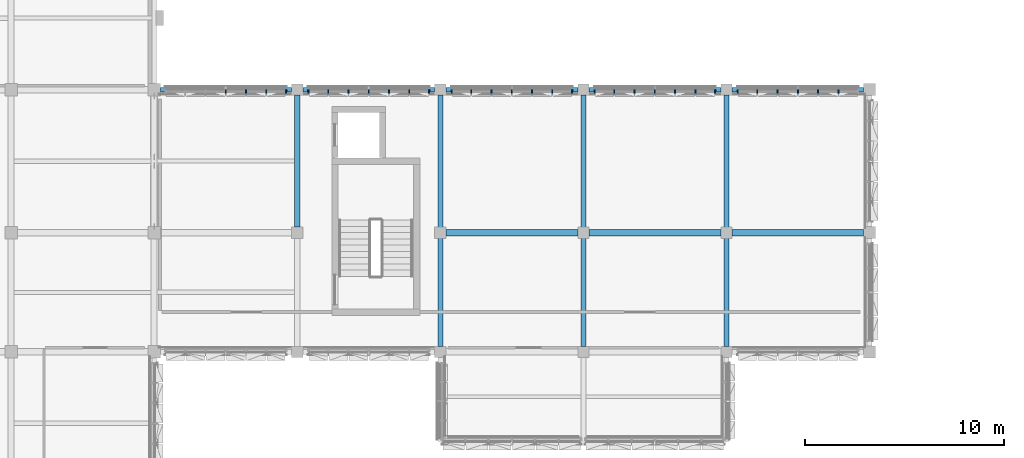
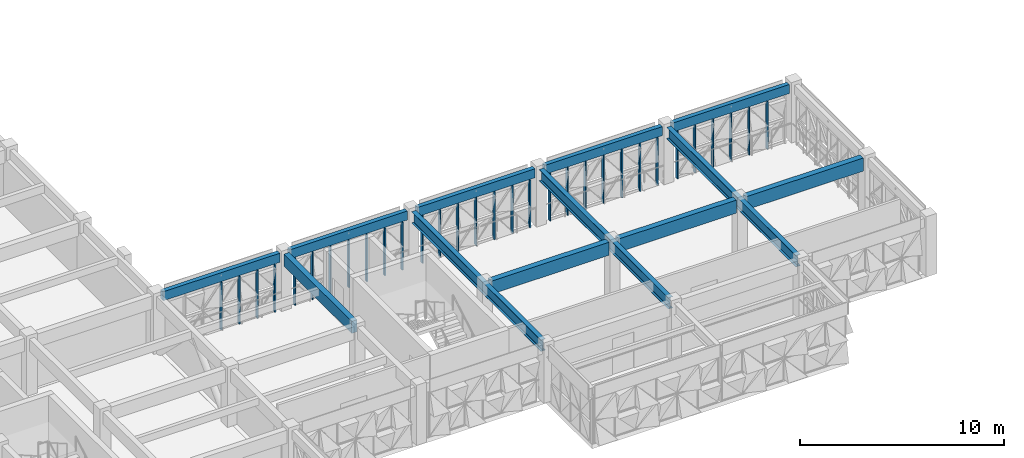
# One storey, part 10 of 85: 31 members, 12 beams, 5 elements without a shape of their own.
"""IFC4 building model written with IfcOpenShell, lengths in metres."""

from ifc_helpers import new_model, si_unit, direction, frame, origin, origin_2d, place, context, subcontext, project, spatial, rectangle, i_section, extrude, material, material_profile, profile_set, type_object, element, aggregate, save


model = new_model("IFC4")

# Units and contexts
model_context = context("Model", 3, precision=1e-05, world=origin(), true_north=direction((0.0, 1.0)))
body_context = subcontext(model_context, "Body", "Model", "MODEL_VIEW")
ifc_project = project(units=[si_unit("LENGTHUNIT", "METRE"), si_unit("AREAUNIT", "SQUARE_METRE"), si_unit("VOLUMEUNIT", "CUBIC_METRE"), si_unit("PLANEANGLEUNIT", "RADIAN"), si_unit("MASSUNIT", "GRAM", prefix="KILO")], contexts=[model_context])

# Site, building, storey
site_placement = place(None, origin())
site = spatial("IfcSite", under=ifc_project, at=site_placement, CompositionType="ELEMENT")
building_placement = place(site_placement, origin())
building = spatial("IfcBuilding", under=site, at=building_placement, Name="Alvorim Cloister Faculty of Sciences", CompositionType="ELEMENT")
storey_placement = place(building_placement, frame((0.0, 0.0, 8.550048828125)))
storey = spatial("IfcBuildingStorey", under=building, at=storey_placement, Name="L02", CompositionType="ELEMENT", Elevation=8.550048828125)

# Beams
ifc_material_1 = material(Name="Glulam GL32h", Category="wood")
ifc_material_profile_1 = material_profile(ifc_material_1, rectangle(XDim=0.300048828125, YDim=0.719970703125, at=origin_2d()), Name="GL32-BM-300x720")
ifc_profile_set_1 = profile_set([ifc_material_profile_1], Name="Glulam GL32h")
beam_type_1 = type_object("IfcBeamType", Name="BM-GL-300x720", PredefinedType="BEAM", material=ifc_profile_set_1)
beam_1_placement = place(storey_placement, frame((36.0, 49.47998046875, 3.030029296875), z_axis=(0.0, 1.0, 0.0), x_axis=(-1.0, 0.0, 0.0)))
element("IfcBeam", 1, at=beam_1_placement, inside=storey, type_object=beam_type_1, Name="L02 Primary Girder BM-1412", PredefinedType="BEAM", context=body_context, shape_type="SweptSolid", body=[
    extrude(rectangle(XDim=0.300048828125, YDim=0.719970703125, at=origin_2d()), origin(), (0.0, 0.0, 1.0), 6.64013671875),
])
ifc_material_profile_2 = material_profile(ifc_material_1, rectangle(XDim=0.320068359375, YDim=0.780029296875, at=origin_2d()), Name="GL32-BM-320x780")
ifc_profile_set_2 = profile_set([ifc_material_profile_2], Name="Glulam GL32h")
beam_type_2 = type_object("IfcBeamType", Name="BM-GL-320x780", PredefinedType="BEAM", material=ifc_profile_set_2)
for number, where, z_axis, x_axis, name in (
    (2, (43.47998046875, 49.199951171875, 3.0), (1.0, 0.0, 0.0), (0.0, 1.0, 0.0), "L02 Primary Beam BM-1300"),
    (3, (50.679931640625, 49.199951171875, 3.0), (1.0, 0.0, 0.0), (0.0, 1.0, 0.0), "L02 Primary Beam BM-1301"),
):
    element("IfcBeam", number, at=place(storey_placement, frame(where, z_axis=z_axis, x_axis=x_axis)), inside=storey, type_object=beam_type_2, Name=name, PredefinedType="BEAM", context=body_context, shape_type="SweptSolid", body=[
        extrude(rectangle(XDim=0.320068359375, YDim=0.780029296875, at=origin_2d()), origin(), (0.0, 0.0, 1.0), 6.64013671875),
    ])
beam_2_placement = place(storey_placement, frame((57.8798828125, 49.199951171875, 3.0), z_axis=(1.0, 0.0, 0.0), x_axis=(0.0, 1.0, 0.0)))
element("IfcBeam", 4, at=beam_2_placement, inside=storey, type_object=beam_type_2, Name="L02 Primary Beam BM-1302", PredefinedType="BEAM", context=body_context, shape_type="SweptSolid", body=[
    extrude(rectangle(XDim=0.320068359375, YDim=0.780029296875, at=origin_2d()), origin(), (0.0, 0.0, 1.0), 6.6201171875),
])
ifc_material_2 = material(Name="Glulam GL28h", Category="wood")
ifc_material_profile_3 = material_profile(ifc_material_2, rectangle(XDim=0.239990234375, YDim=0.5400390625, at=origin_2d()), Name="GL28-SPD-240x540")
ifc_profile_set_3 = profile_set([ifc_material_profile_3], Name="Glulam GL28h")
beam_type_3 = type_object("IfcBeamType", Name="BM-SPD-GL-240x540", PredefinedType="SPANDREL", material=ifc_profile_set_3)
beam_3_placement = place(storey_placement, frame((29.1201171875, 56.39990234375, 3.119873046875), z_axis=(1.0, 0.0, 0.0), x_axis=(0.0, 1.0, 0.0)))
element("IfcBeam", 5, at=beam_3_placement, inside=storey, type_object=beam_type_3, Name="L02 Primary Beam BM-1307", PredefinedType="SPANDREL", context=body_context, shape_type="SweptSolid", body=[
    extrude(rectangle(XDim=0.239990234375, YDim=0.5400390625, at=origin_2d()), origin(), (0.0, 0.0, 1.0), 6.599853515625),
])
beam_4_placement = place(storey_placement, frame((36.280029296875, 56.39990234375, 3.119873046875), z_axis=(1.0, 0.0, 0.0), x_axis=(0.0, 1.0, 0.0)))
element("IfcBeam", 6, at=beam_4_placement, inside=storey, type_object=beam_type_3, Name="L02 Primary Beam BM-1308", PredefinedType="SPANDREL", context=body_context, shape_type="SweptSolid", body=[
    extrude(rectangle(XDim=0.239990234375, YDim=0.5400390625, at=origin_2d()), origin(), (0.0, 0.0, 1.0), 6.639892578125),
])
for number, where, z_axis, x_axis, name in (
    (7, (43.47998046875, 56.39990234375, 3.119873046875), (1.0, 0.0, 0.0), (0.0, 1.0, 0.0), "L02 Primary Beam BM-1309"),
    (8, (50.679931640625, 56.39990234375, 3.119873046875), (1.0, 0.0, 0.0), (0.0, 1.0, 0.0), "L02 Primary Beam BM-1310"),
):
    element("IfcBeam", number, at=place(storey_placement, frame(where, z_axis=z_axis, x_axis=x_axis)), inside=storey, type_object=beam_type_3, Name=name, PredefinedType="SPANDREL", context=body_context, shape_type="SweptSolid", body=[
        extrude(rectangle(XDim=0.239990234375, YDim=0.5400390625, at=origin_2d()), origin(), (0.0, 0.0, 1.0), 6.64013671875),
    ])
beam_5_placement = place(storey_placement, frame((57.8798828125, 56.39990234375, 3.119873046875), z_axis=(1.0, 0.0, 0.0), x_axis=(0.0, 1.0, 0.0)))
element("IfcBeam", 9, at=beam_5_placement, inside=storey, type_object=beam_type_3, Name="L02 Primary Beam BM-1311", PredefinedType="SPANDREL", context=body_context, shape_type="SweptSolid", body=[
    extrude(rectangle(XDim=0.239990234375, YDim=0.5400390625, at=origin_2d()), origin(), (0.0, 0.0, 1.0), 6.6201171875),
])
ifc_material_3 = material(Name="Steel ASTM A572 Grade 50", Category="steel")
ifc_material_profile_4 = material_profile(ifc_material_3, i_section(OverallWidth=0.25390625, OverallDepth=0.68408203125, WebThickness=0.012451171875, FlangeThickness=0.01904296875, FilletRadius=0.01904296875, at=origin_2d()), Name="W690x140.0")
ifc_profile_set_4 = profile_set([ifc_material_profile_4], Name="Steel ASTM A572 Grade 50")
beam_type_4 = type_object("IfcBeamType", Name="BM-STL-W690", PredefinedType="BEAM", material=ifc_profile_set_4)
for number, where, z_axis, x_axis, name in (
    (10, (43.199951171875, 43.47998046875, 3.0478515625), (0.0, 1.0, 0.0), (-1.0, 0.0, 0.0), "L02 Cantilever Backspan Girder BM-0041"),
    (11, (50.39990234375, 43.47998046875, 3.0478515625), (0.0, 1.0, 0.0), (-1.0, 0.0, 0.0), "L02 Cantilever Backspan Girder BM-0043"),
    (12, (57.60009765625, 43.47998046875, 3.0478515625), (0.0, 1.0, 0.0), (-1.0, 0.0, 0.0), "L02 Cantilever Backspan Girder BM-0045"),
):
    element("IfcBeam", number, at=place(storey_placement, frame(where, z_axis=z_axis, x_axis=x_axis)), inside=storey, type_object=beam_type_4, Name=name, PredefinedType="BEAM", context=body_context, shape_type="SweptSolid", body=[
        extrude(i_section(OverallWidth=0.25390625, OverallDepth=0.68408203125, WebThickness=0.012451171875, FlangeThickness=0.01904296875, FilletRadius=0.01904296875, at=origin_2d()), origin(), (0.0, 0.0, 1.0), 12.64013671875),
    ])

# Curtain wall, members
ifc_material_4 = material(Name="Aluminium and Low-E Glass Curtain Wall", Category="aluminium")
curtain_wall_type = type_object("IfcCurtainWallType", Name="CW-TRI-6120x2850", PredefinedType="USERDEFINED", material=ifc_material_4)
curtain_wall_1_placement = place(storey_placement, origin())
curtain_wall_1 = element("IfcCurtainWall", 13, at=curtain_wall_1_placement, inside=storey, type_object=curtain_wall_type, Name="L02 Diagonal Cassette Curtain Wall CW-0056", ObjectType="UNITISED CURTAIN WALL", PredefinedType="USERDEFINED")
ifc_material_5 = material(Name="Aluminium Alloy 6063-T6", Category="aluminium")
ifc_material_profile_5 = material_profile(ifc_material_5, rectangle(XDim=0.06494140625, YDim=0.179931640625, at=origin_2d()), Name="ALU-MUL-65x180")
ifc_profile_set_5 = profile_set([ifc_material_profile_5], Name="Aluminium Alloy 6063-T6")
member_type = type_object("IfcMemberType", Name="CW-MUL-65x180", PredefinedType="MULLION", material=ifc_profile_set_5)
member_1_placement = place(storey_placement, frame((32.39990234375, 56.31005859375, 0.0), z_axis=(0.0, 0.0, 1.0), x_axis=(1.0, 0.0, 0.0)))
member_1 = element("IfcMember", 14, at=member_1_placement, type_object=member_type, Name="CW-0056 Mullion 4", PredefinedType="MULLION", context=body_context, shape_type="SweptSolid", body=[
    extrude(rectangle(XDim=0.06494140625, YDim=0.179931640625, at=origin_2d()), origin(), (0.0, 0.0, 1.0), 2.849853515625),
])
member_2_placement = place(storey_placement, frame((33.419921875, 56.31005859375, 0.0), z_axis=(0.0, 0.0, 1.0), x_axis=(1.0, 0.0, 0.0)))
member_2 = element("IfcMember", 15, at=member_2_placement, type_object=member_type, Name="CW-0056 Mullion 5", PredefinedType="MULLION", context=body_context, shape_type="SweptSolid", body=[
    extrude(rectangle(XDim=0.06494140625, YDim=0.179931640625, at=origin_2d()), origin(), (0.0, 0.0, 1.0), 2.849853515625),
])
member_3_placement = place(storey_placement, frame((34.43994140625, 56.31005859375, 0.0), z_axis=(0.0, 0.0, 1.0), x_axis=(1.0, 0.0, 0.0)))
member_3 = element("IfcMember", 16, at=member_3_placement, type_object=member_type, Name="CW-0056 Mullion 6", PredefinedType="MULLION", context=body_context, shape_type="SweptSolid", body=[
    extrude(rectangle(XDim=0.06494140625, YDim=0.179931640625, at=origin_2d()), origin(), (0.0, 0.0, 1.0), 2.849853515625),
])
member_4_placement = place(storey_placement, frame((35.427490234375, 56.31005859375, 0.0), z_axis=(0.0, 0.0, 1.0), x_axis=(1.0, 0.0, 0.0)))
member_4 = element("IfcMember", 17, at=member_4_placement, type_object=member_type, Name="CW-0056 Mullion 7", PredefinedType="MULLION", context=body_context, shape_type="SweptSolid", body=[
    extrude(rectangle(XDim=0.06494140625, YDim=0.179931640625, at=origin_2d()), origin(), (0.0, 0.0, 1.0), 2.849853515625),
])
aggregate(curtain_wall_1, [member_1, member_2, member_3, member_4])

curtain_wall_2_placement = place(storey_placement, origin())
curtain_wall_2 = element("IfcCurtainWall", 18, at=curtain_wall_2_placement, inside=storey, type_object=curtain_wall_type, Name="L02 Diagonal Cassette Curtain Wall CW-0057", ObjectType="UNITISED CURTAIN WALL", PredefinedType="USERDEFINED")
member_5_placement = place(storey_placement, frame((36.572509765625, 56.31005859375, 0.0), z_axis=(0.0, 0.0, 1.0), x_axis=(1.0, 0.0, 0.0)))
member_5 = element("IfcMember", 19, at=member_5_placement, type_object=member_type, Name="CW-0057 Mullion 1", PredefinedType="MULLION", context=body_context, shape_type="SweptSolid", body=[
    extrude(rectangle(XDim=0.06494140625, YDim=0.179931640625, at=origin_2d()), origin(), (0.0, 0.0, 1.0), 2.849853515625),
])
member_6_placement = place(storey_placement, frame((37.56005859375, 56.31005859375, 0.0), z_axis=(0.0, 0.0, 1.0), x_axis=(1.0, 0.0, 0.0)))
member_6 = element("IfcMember", 20, at=member_6_placement, type_object=member_type, Name="CW-0057 Mullion 2", PredefinedType="MULLION", context=body_context, shape_type="SweptSolid", body=[
    extrude(rectangle(XDim=0.06494140625, YDim=0.179931640625, at=origin_2d()), origin(), (0.0, 0.0, 1.0), 2.849853515625),
])
member_7_placement = place(storey_placement, frame((38.580078125, 56.31005859375, 0.0), z_axis=(0.0, 0.0, 1.0), x_axis=(1.0, 0.0, 0.0)))
member_7 = element("IfcMember", 21, at=member_7_placement, type_object=member_type, Name="CW-0057 Mullion 3", PredefinedType="MULLION", context=body_context, shape_type="SweptSolid", body=[
    extrude(rectangle(XDim=0.06494140625, YDim=0.179931640625, at=origin_2d()), origin(), (0.0, 0.0, 1.0), 2.849853515625),
])
member_8_placement = place(storey_placement, frame((39.60009765625, 56.31005859375, 0.0), z_axis=(0.0, 0.0, 1.0), x_axis=(1.0, 0.0, 0.0)))
member_8 = element("IfcMember", 22, at=member_8_placement, type_object=member_type, Name="CW-0057 Mullion 4", PredefinedType="MULLION", context=body_context, shape_type="SweptSolid", body=[
    extrude(rectangle(XDim=0.06494140625, YDim=0.179931640625, at=origin_2d()), origin(), (0.0, 0.0, 1.0), 2.849853515625),
])
member_9_placement = place(storey_placement, frame((40.6201171875, 56.31005859375, 0.0), z_axis=(0.0, 0.0, 1.0), x_axis=(1.0, 0.0, 0.0)))
member_9 = element("IfcMember", 23, at=member_9_placement, type_object=member_type, Name="CW-0057 Mullion 5", PredefinedType="MULLION", context=body_context, shape_type="SweptSolid", body=[
    extrude(rectangle(XDim=0.06494140625, YDim=0.179931640625, at=origin_2d()), origin(), (0.0, 0.0, 1.0), 2.849853515625),
])
member_10_placement = place(storey_placement, frame((41.639892578125, 56.31005859375, 0.0), z_axis=(0.0, 0.0, 1.0), x_axis=(1.0, 0.0, 0.0)))
member_10 = element("IfcMember", 24, at=member_10_placement, type_object=member_type, Name="CW-0057 Mullion 6", PredefinedType="MULLION", context=body_context, shape_type="SweptSolid", body=[
    extrude(rectangle(XDim=0.06494140625, YDim=0.179931640625, at=origin_2d()), origin(), (0.0, 0.0, 1.0), 2.849853515625),
])
member_11_placement = place(storey_placement, frame((42.62744140625, 56.31005859375, 0.0), z_axis=(0.0, 0.0, 1.0), x_axis=(1.0, 0.0, 0.0)))
member_11 = element("IfcMember", 25, at=member_11_placement, type_object=member_type, Name="CW-0057 Mullion 7", PredefinedType="MULLION", context=body_context, shape_type="SweptSolid", body=[
    extrude(rectangle(XDim=0.06494140625, YDim=0.179931640625, at=origin_2d()), origin(), (0.0, 0.0, 1.0), 2.849853515625),
])
aggregate(curtain_wall_2, [member_5, member_6, member_7, member_8, member_9, member_10, member_11])

curtain_wall_3_placement = place(storey_placement, origin())
curtain_wall_3 = element("IfcCurtainWall", 26, at=curtain_wall_3_placement, inside=storey, type_object=curtain_wall_type, Name="L02 Diagonal Cassette Curtain Wall CW-0058", ObjectType="UNITISED CURTAIN WALL", PredefinedType="USERDEFINED")
member_12_placement = place(storey_placement, frame((43.7724609375, 56.31005859375, 0.0), z_axis=(0.0, 0.0, 1.0), x_axis=(1.0, 0.0, 0.0)))
member_12 = element("IfcMember", 27, at=member_12_placement, type_object=member_type, Name="CW-0058 Mullion 1", PredefinedType="MULLION", context=body_context, shape_type="SweptSolid", body=[
    extrude(rectangle(XDim=0.06494140625, YDim=0.179931640625, at=origin_2d()), origin(), (0.0, 0.0, 1.0), 2.849853515625),
])
member_13_placement = place(storey_placement, frame((44.760009765625, 56.31005859375, 0.0), z_axis=(0.0, 0.0, 1.0), x_axis=(1.0, 0.0, 0.0)))
member_13 = element("IfcMember", 28, at=member_13_placement, type_object=member_type, Name="CW-0058 Mullion 2", PredefinedType="MULLION", context=body_context, shape_type="SweptSolid", body=[
    extrude(rectangle(XDim=0.06494140625, YDim=0.179931640625, at=origin_2d()), origin(), (0.0, 0.0, 1.0), 2.849853515625),
])
member_14_placement = place(storey_placement, frame((45.780029296875, 56.31005859375, 0.0), z_axis=(0.0, 0.0, 1.0), x_axis=(1.0, 0.0, 0.0)))
member_14 = element("IfcMember", 29, at=member_14_placement, type_object=member_type, Name="CW-0058 Mullion 3", PredefinedType="MULLION", context=body_context, shape_type="SweptSolid", body=[
    extrude(rectangle(XDim=0.06494140625, YDim=0.179931640625, at=origin_2d()), origin(), (0.0, 0.0, 1.0), 2.849853515625),
])
member_15_placement = place(storey_placement, frame((46.800048828125, 56.31005859375, 0.0), z_axis=(0.0, 0.0, 1.0), x_axis=(1.0, 0.0, 0.0)))
member_15 = element("IfcMember", 30, at=member_15_placement, type_object=member_type, Name="CW-0058 Mullion 4", PredefinedType="MULLION", context=body_context, shape_type="SweptSolid", body=[
    extrude(rectangle(XDim=0.06494140625, YDim=0.179931640625, at=origin_2d()), origin(), (0.0, 0.0, 1.0), 2.849853515625),
])
member_16_placement = place(storey_placement, frame((47.820068359375, 56.31005859375, 0.0), z_axis=(0.0, 0.0, 1.0), x_axis=(1.0, 0.0, 0.0)))
member_16 = element("IfcMember", 31, at=member_16_placement, type_object=member_type, Name="CW-0058 Mullion 5", PredefinedType="MULLION", context=body_context, shape_type="SweptSolid", body=[
    extrude(rectangle(XDim=0.06494140625, YDim=0.179931640625, at=origin_2d()), origin(), (0.0, 0.0, 1.0), 2.849853515625),
])
member_17_placement = place(storey_placement, frame((48.840087890625, 56.31005859375, 0.0), z_axis=(0.0, 0.0, 1.0), x_axis=(1.0, 0.0, 0.0)))
member_17 = element("IfcMember", 32, at=member_17_placement, type_object=member_type, Name="CW-0058 Mullion 6", PredefinedType="MULLION", context=body_context, shape_type="SweptSolid", body=[
    extrude(rectangle(XDim=0.06494140625, YDim=0.179931640625, at=origin_2d()), origin(), (0.0, 0.0, 1.0), 2.849853515625),
])
member_18_placement = place(storey_placement, frame((49.827392578125, 56.31005859375, 0.0), z_axis=(0.0, 0.0, 1.0), x_axis=(1.0, 0.0, 0.0)))
member_18 = element("IfcMember", 33, at=member_18_placement, type_object=member_type, Name="CW-0058 Mullion 7", PredefinedType="MULLION", context=body_context, shape_type="SweptSolid", body=[
    extrude(rectangle(XDim=0.06494140625, YDim=0.179931640625, at=origin_2d()), origin(), (0.0, 0.0, 1.0), 2.849853515625),
])
aggregate(curtain_wall_3, [member_12, member_13, member_14, member_15, member_16, member_17, member_18])

curtain_wall_4_placement = place(storey_placement, origin())
curtain_wall_4 = element("IfcCurtainWall", 34, at=curtain_wall_4_placement, inside=storey, type_object=curtain_wall_type, Name="L02 Diagonal Cassette Curtain Wall CW-0059", ObjectType="UNITISED CURTAIN WALL", PredefinedType="USERDEFINED")
member_19_placement = place(storey_placement, frame((50.972412109375, 56.31005859375, 0.0), z_axis=(0.0, 0.0, 1.0), x_axis=(1.0, 0.0, 0.0)))
member_19 = element("IfcMember", 35, at=member_19_placement, type_object=member_type, Name="CW-0059 Mullion 1", PredefinedType="MULLION", context=body_context, shape_type="SweptSolid", body=[
    extrude(rectangle(XDim=0.06494140625, YDim=0.179931640625, at=origin_2d()), origin(), (0.0, 0.0, 1.0), 2.849853515625),
])
member_20_placement = place(storey_placement, frame((51.9599609375, 56.31005859375, 0.0), z_axis=(0.0, 0.0, 1.0), x_axis=(1.0, 0.0, 0.0)))
member_20 = element("IfcMember", 36, at=member_20_placement, type_object=member_type, Name="CW-0059 Mullion 2", PredefinedType="MULLION", context=body_context, shape_type="SweptSolid", body=[
    extrude(rectangle(XDim=0.06494140625, YDim=0.179931640625, at=origin_2d()), origin(), (0.0, 0.0, 1.0), 2.849853515625),
])
member_21_placement = place(storey_placement, frame((52.97998046875, 56.31005859375, 0.0), z_axis=(0.0, 0.0, 1.0), x_axis=(1.0, 0.0, 0.0)))
member_21 = element("IfcMember", 37, at=member_21_placement, type_object=member_type, Name="CW-0059 Mullion 3", PredefinedType="MULLION", context=body_context, shape_type="SweptSolid", body=[
    extrude(rectangle(XDim=0.06494140625, YDim=0.179931640625, at=origin_2d()), origin(), (0.0, 0.0, 1.0), 2.849853515625),
])
member_22_placement = place(storey_placement, frame((54.0, 56.31005859375, 0.0), z_axis=(0.0, 0.0, 1.0), x_axis=(1.0, 0.0, 0.0)))
member_22 = element("IfcMember", 38, at=member_22_placement, type_object=member_type, Name="CW-0059 Mullion 4", PredefinedType="MULLION", context=body_context, shape_type="SweptSolid", body=[
    extrude(rectangle(XDim=0.06494140625, YDim=0.179931640625, at=origin_2d()), origin(), (0.0, 0.0, 1.0), 2.849853515625),
])
member_23_placement = place(storey_placement, frame((55.02001953125, 56.31005859375, 0.0), z_axis=(0.0, 0.0, 1.0), x_axis=(1.0, 0.0, 0.0)))
member_23 = element("IfcMember", 39, at=member_23_placement, type_object=member_type, Name="CW-0059 Mullion 5", PredefinedType="MULLION", context=body_context, shape_type="SweptSolid", body=[
    extrude(rectangle(XDim=0.06494140625, YDim=0.179931640625, at=origin_2d()), origin(), (0.0, 0.0, 1.0), 2.849853515625),
])
member_24_placement = place(storey_placement, frame((56.0400390625, 56.31005859375, 0.0), z_axis=(0.0, 0.0, 1.0), x_axis=(1.0, 0.0, 0.0)))
member_24 = element("IfcMember", 40, at=member_24_placement, type_object=member_type, Name="CW-0059 Mullion 6", PredefinedType="MULLION", context=body_context, shape_type="SweptSolid", body=[
    extrude(rectangle(XDim=0.06494140625, YDim=0.179931640625, at=origin_2d()), origin(), (0.0, 0.0, 1.0), 2.849853515625),
])
member_25_placement = place(storey_placement, frame((57.027587890625, 56.31005859375, 0.0), z_axis=(0.0, 0.0, 1.0), x_axis=(1.0, 0.0, 0.0)))
member_25 = element("IfcMember", 41, at=member_25_placement, type_object=member_type, Name="CW-0059 Mullion 7", PredefinedType="MULLION", context=body_context, shape_type="SweptSolid", body=[
    extrude(rectangle(XDim=0.06494140625, YDim=0.179931640625, at=origin_2d()), origin(), (0.0, 0.0, 1.0), 2.849853515625),
])
aggregate(curtain_wall_4, [member_19, member_20, member_21, member_22, member_23, member_24, member_25])

curtain_wall_5_placement = place(storey_placement, origin())
curtain_wall_5 = element("IfcCurtainWall", 42, at=curtain_wall_5_placement, inside=storey, type_object=curtain_wall_type, Name="L02 Diagonal Cassette Curtain Wall CW-0060", ObjectType="UNITISED CURTAIN WALL", PredefinedType="USERDEFINED")
member_26_placement = place(storey_placement, frame((58.172607421875, 56.31005859375, 0.0), z_axis=(0.0, 0.0, 1.0), x_axis=(1.0, 0.0, 0.0)))
member_26 = element("IfcMember", 43, at=member_26_placement, type_object=member_type, Name="CW-0060 Mullion 1", PredefinedType="MULLION", context=body_context, shape_type="SweptSolid", body=[
    extrude(rectangle(XDim=0.06494140625, YDim=0.179931640625, at=origin_2d()), origin(), (0.0, 0.0, 1.0), 2.849853515625),
])
member_27_placement = place(storey_placement, frame((59.159912109375, 56.31005859375, 0.0), z_axis=(0.0, 0.0, 1.0), x_axis=(1.0, 0.0, 0.0)))
member_27 = element("IfcMember", 44, at=member_27_placement, type_object=member_type, Name="CW-0060 Mullion 2", PredefinedType="MULLION", context=body_context, shape_type="SweptSolid", body=[
    extrude(rectangle(XDim=0.06494140625, YDim=0.179931640625, at=origin_2d()), origin(), (0.0, 0.0, 1.0), 2.849853515625),
])
member_28_placement = place(storey_placement, frame((60.179931640625, 56.31005859375, 0.0), z_axis=(0.0, 0.0, 1.0), x_axis=(1.0, 0.0, 0.0)))
member_28 = element("IfcMember", 45, at=member_28_placement, type_object=member_type, Name="CW-0060 Mullion 3", PredefinedType="MULLION", context=body_context, shape_type="SweptSolid", body=[
    extrude(rectangle(XDim=0.06494140625, YDim=0.179931640625, at=origin_2d()), origin(), (0.0, 0.0, 1.0), 2.849853515625),
])
member_29_placement = place(storey_placement, frame((61.199951171875, 56.31005859375, 0.0), z_axis=(0.0, 0.0, 1.0), x_axis=(1.0, 0.0, 0.0)))
member_29 = element("IfcMember", 46, at=member_29_placement, type_object=member_type, Name="CW-0060 Mullion 4", PredefinedType="MULLION", context=body_context, shape_type="SweptSolid", body=[
    extrude(rectangle(XDim=0.06494140625, YDim=0.179931640625, at=origin_2d()), origin(), (0.0, 0.0, 1.0), 2.849853515625),
])
member_30_placement = place(storey_placement, frame((62.219970703125, 56.31005859375, 0.0), z_axis=(0.0, 0.0, 1.0), x_axis=(1.0, 0.0, 0.0)))
member_30 = element("IfcMember", 47, at=member_30_placement, type_object=member_type, Name="CW-0060 Mullion 5", PredefinedType="MULLION", context=body_context, shape_type="SweptSolid", body=[
    extrude(rectangle(XDim=0.06494140625, YDim=0.179931640625, at=origin_2d()), origin(), (0.0, 0.0, 1.0), 2.849853515625),
])
member_31_placement = place(storey_placement, frame((63.239990234375, 56.31005859375, 0.0), z_axis=(0.0, 0.0, 1.0), x_axis=(1.0, 0.0, 0.0)))
member_31 = element("IfcMember", 48, at=member_31_placement, type_object=member_type, Name="CW-0060 Mullion 6", PredefinedType="MULLION", context=body_context, shape_type="SweptSolid", body=[
    extrude(rectangle(XDim=0.06494140625, YDim=0.179931640625, at=origin_2d()), origin(), (0.0, 0.0, 1.0), 2.849853515625),
])
aggregate(curtain_wall_5, [member_26, member_27, member_28, member_29, member_30, member_31])

save(model, "model.ifc")
